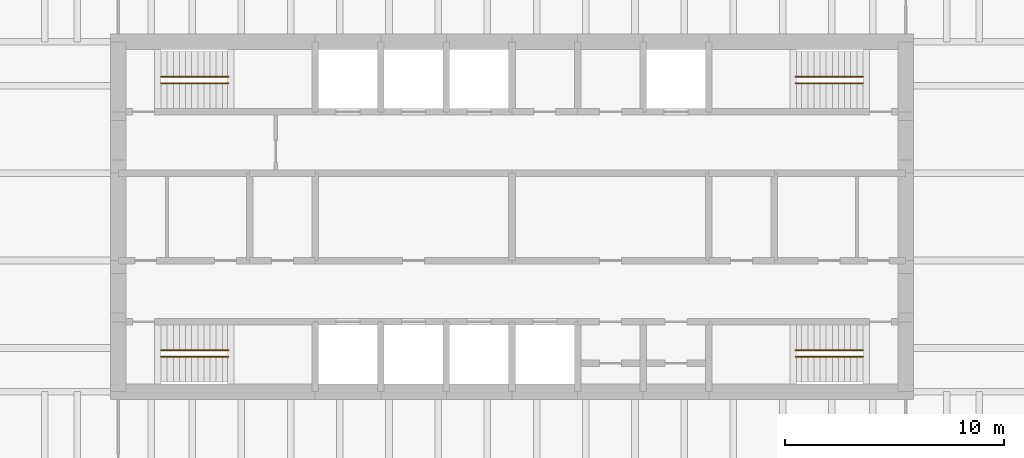
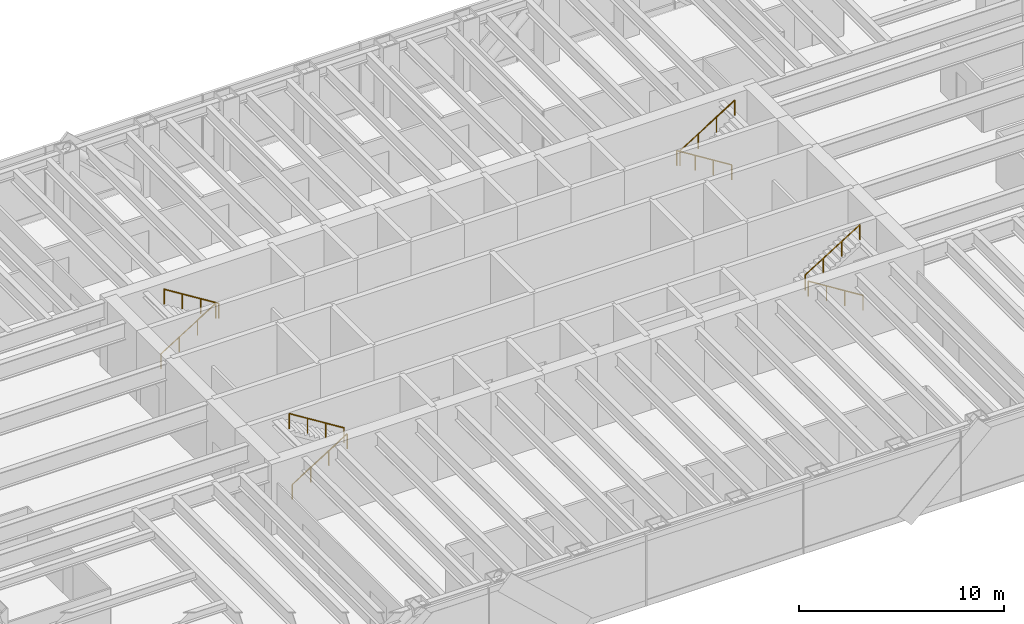
# One storey, part 15 of 15: 8 railings.
"""IFC4 building model written with IfcOpenShell, lengths in metres."""

from ifc_helpers import new_model, si_unit, direction, frame, origin, origin_2d, place, context, subcontext, project, spatial, circle, extrude, material, type_object, element, save


model = new_model("IFC4")

# Units and contexts
model_context = context("Model", 3, precision=1e-05, world=origin(), true_north=direction((0.0, 1.0)))
body_context = subcontext(model_context, "Body", "Model", "MODEL_VIEW")
ifc_project = project(units=[si_unit("LENGTHUNIT", "METRE"), si_unit("AREAUNIT", "SQUARE_METRE"), si_unit("VOLUMEUNIT", "CUBIC_METRE"), si_unit("PLANEANGLEUNIT", "RADIAN"), si_unit("MASSUNIT", "GRAM", prefix="KILO")], contexts=[model_context])

# Site, building, storey
site_placement = place(None, origin())
site = spatial("IfcSite", under=ifc_project, at=site_placement, CompositionType="ELEMENT")
building_placement = place(site_placement, origin())
building = spatial("IfcBuilding", under=site, at=building_placement, Name="Rheinbord Bourse Tower", CompositionType="ELEMENT")
storey_placement = place(building_placement, frame((0.0, 0.0, 313.10009765625)))
storey = spatial("IfcBuildingStorey", under=building, at=storey_placement, Name="L71", CompositionType="ELEMENT", Elevation=313.10009765625)

# Railings
ifc_material = material(Name="Steel handrail", Category="steel")
railing_type = type_object("IfcRailingType", Name="HANDRAIL 900", PredefinedType="HANDRAIL", material=ifc_material)
railing_1_placement = place(storey_placement, frame((19.949951171875, 17.60009765625, 0.1748046875)))
element("IfcRailing", 1, at=railing_1_placement, inside=storey, type_object=railing_type, Name="Handrail", PredefinedType="HANDRAIL", context=body_context, shape_type="SweptSolid", body=[
    extrude(circle(Radius=0.02392578125, at=origin_2d()), frame((0.0, 0.0, 0.8759765625), z_axis=(0.847998304005, 0.0, 0.529998940003), x_axis=(0.0, 1.0, 0.0)), (0.0, 0.0, 1.0), 3.632080078125),
    extrude(circle(Radius=0.02099609375, at=origin_2d()), origin(), (0.0, 0.0, 1.0), 0.851806640625),
    extrude(circle(Radius=0.02099609375, at=origin_2d()), frame((1.026611328125, 0.0, 0.6416015625)), (0.0, 0.0, 1.0), 0.851806640625),
    extrude(circle(Radius=0.02099609375, at=origin_2d()), frame((2.053466796875, 0.0, 1.283447265625)), (0.0, 0.0, 1.0), 0.851806640625),
    extrude(circle(Radius=0.02099609375, at=origin_2d()), frame((3.080078125, 0.0, 1.925048828125)), (0.0, 0.0, 1.0), 0.851806640625),
])
railing_2_placement = place(storey_placement, frame((23.030029296875, 17.89990234375, 2.27490234375)))
element("IfcRailing", 2, at=railing_2_placement, inside=storey, type_object=railing_type, Name="Handrail", PredefinedType="HANDRAIL", context=body_context, shape_type="SweptSolid", body=[
    extrude(circle(Radius=0.02392578125, at=origin_2d()), frame((0.0, 0.0, 0.8759765625), z_axis=(-0.847998304005, 0.0, 0.529998940003), x_axis=(0.0, -1.0, 0.0)), (0.0, 0.0, 1.0), 3.632080078125),
    extrude(circle(Radius=0.02099609375, at=origin_2d()), origin(), (0.0, 0.0, 1.0), 0.851806640625),
    extrude(circle(Radius=0.02099609375, at=origin_2d()), frame((-1.026611328125, 0.0, 0.6416015625)), (0.0, 0.0, 1.0), 0.851806640625),
    extrude(circle(Radius=0.02099609375, at=origin_2d()), frame((-2.053466796875, 0.0, 1.283447265625)), (0.0, 0.0, 1.0), 0.851806640625),
    extrude(circle(Radius=0.02099609375, at=origin_2d()), frame((-3.080078125, 0.0, 1.925048828125)), (0.0, 0.0, 1.0), 0.851806640625),
])
railing_3_placement = place(storey_placement, frame((19.949951171875, 30.39990234375, 0.1748046875)))
element("IfcRailing", 3, at=railing_3_placement, inside=storey, type_object=railing_type, Name="Handrail", PredefinedType="HANDRAIL", context=body_context, shape_type="SweptSolid", body=[
    extrude(circle(Radius=0.02392578125, at=origin_2d()), frame((0.0, 0.0, 0.8759765625), z_axis=(0.847998304005, 0.0, 0.529998940003), x_axis=(0.0, 1.0, 0.0)), (0.0, 0.0, 1.0), 3.632080078125),
    extrude(circle(Radius=0.02099609375, at=origin_2d()), origin(), (0.0, 0.0, 1.0), 0.851806640625),
    extrude(circle(Radius=0.02099609375, at=origin_2d()), frame((1.026611328125, 0.0, 0.6416015625)), (0.0, 0.0, 1.0), 0.851806640625),
    extrude(circle(Radius=0.02099609375, at=origin_2d()), frame((2.053466796875, 0.0, 1.283447265625)), (0.0, 0.0, 1.0), 0.851806640625),
    extrude(circle(Radius=0.02099609375, at=origin_2d()), frame((3.080078125, 0.0, 1.925048828125)), (0.0, 0.0, 1.0), 0.851806640625),
])
for number, where, name in (
    (4, (23.030029296875, 30.10009765625, 2.27490234375), "Handrail"),
    (5, (52.050048828125, 17.60009765625, 0.1748046875), "Handrail"),
):
    element("IfcRailing", number, at=place(storey_placement, frame(where)), inside=storey, type_object=railing_type, Name=name, PredefinedType="HANDRAIL", context=body_context, shape_type="SweptSolid", body=[
        extrude(circle(Radius=0.02392578125, at=origin_2d()), frame((0.0, 0.0, 0.8759765625), z_axis=(-0.847998304005, 0.0, 0.529998940003), x_axis=(0.0, -1.0, 0.0)), (0.0, 0.0, 1.0), 3.632080078125),
        extrude(circle(Radius=0.02099609375, at=origin_2d()), origin(), (0.0, 0.0, 1.0), 0.851806640625),
        extrude(circle(Radius=0.02099609375, at=origin_2d()), frame((-1.026611328125, 0.0, 0.6416015625)), (0.0, 0.0, 1.0), 0.851806640625),
        extrude(circle(Radius=0.02099609375, at=origin_2d()), frame((-2.053466796875, 0.0, 1.283447265625)), (0.0, 0.0, 1.0), 0.851806640625),
        extrude(circle(Radius=0.02099609375, at=origin_2d()), frame((-3.080078125, 0.0, 1.925048828125)), (0.0, 0.0, 1.0), 0.851806640625),
    ])
railing_4_placement = place(storey_placement, frame((48.969970703125, 17.89990234375, 2.27490234375)))
element("IfcRailing", 6, at=railing_4_placement, inside=storey, type_object=railing_type, Name="Handrail", PredefinedType="HANDRAIL", context=body_context, shape_type="SweptSolid", body=[
    extrude(circle(Radius=0.02392578125, at=origin_2d()), frame((0.0, 0.0, 0.8759765625), z_axis=(0.847998304005, 0.0, 0.529998940003), x_axis=(0.0, 1.0, 0.0)), (0.0, 0.0, 1.0), 3.632080078125),
    extrude(circle(Radius=0.02099609375, at=origin_2d()), origin(), (0.0, 0.0, 1.0), 0.851806640625),
    extrude(circle(Radius=0.02099609375, at=origin_2d()), frame((1.026611328125, 0.0, 0.6416015625)), (0.0, 0.0, 1.0), 0.851806640625),
    extrude(circle(Radius=0.02099609375, at=origin_2d()), frame((2.053466796875, 0.0, 1.283447265625)), (0.0, 0.0, 1.0), 0.851806640625),
    extrude(circle(Radius=0.02099609375, at=origin_2d()), frame((3.080078125, 0.0, 1.925048828125)), (0.0, 0.0, 1.0), 0.851806640625),
])
railing_5_placement = place(storey_placement, frame((52.050048828125, 30.39990234375, 0.1748046875)))
element("IfcRailing", 7, at=railing_5_placement, inside=storey, type_object=railing_type, Name="Handrail", PredefinedType="HANDRAIL", context=body_context, shape_type="SweptSolid", body=[
    extrude(circle(Radius=0.02392578125, at=origin_2d()), frame((0.0, 0.0, 0.8759765625), z_axis=(-0.847998304005, 0.0, 0.529998940003), x_axis=(0.0, -1.0, 0.0)), (0.0, 0.0, 1.0), 3.632080078125),
    extrude(circle(Radius=0.02099609375, at=origin_2d()), origin(), (0.0, 0.0, 1.0), 0.851806640625),
    extrude(circle(Radius=0.02099609375, at=origin_2d()), frame((-1.026611328125, 0.0, 0.6416015625)), (0.0, 0.0, 1.0), 0.851806640625),
    extrude(circle(Radius=0.02099609375, at=origin_2d()), frame((-2.053466796875, 0.0, 1.283447265625)), (0.0, 0.0, 1.0), 0.851806640625),
    extrude(circle(Radius=0.02099609375, at=origin_2d()), frame((-3.080078125, 0.0, 1.925048828125)), (0.0, 0.0, 1.0), 0.851806640625),
])
railing_6_placement = place(storey_placement, frame((48.969970703125, 30.10009765625, 2.27490234375)))
element("IfcRailing", 8, at=railing_6_placement, inside=storey, type_object=railing_type, Name="Handrail", PredefinedType="HANDRAIL", context=body_context, shape_type="SweptSolid", body=[
    extrude(circle(Radius=0.02392578125, at=origin_2d()), frame((0.0, 0.0, 0.8759765625), z_axis=(0.847998304005, 0.0, 0.529998940003), x_axis=(0.0, 1.0, 0.0)), (0.0, 0.0, 1.0), 3.632080078125),
    extrude(circle(Radius=0.02099609375, at=origin_2d()), origin(), (0.0, 0.0, 1.0), 0.851806640625),
    extrude(circle(Radius=0.02099609375, at=origin_2d()), frame((1.026611328125, 0.0, 0.6416015625)), (0.0, 0.0, 1.0), 0.851806640625),
    extrude(circle(Radius=0.02099609375, at=origin_2d()), frame((2.053466796875, 0.0, 1.283447265625)), (0.0, 0.0, 1.0), 0.851806640625),
    extrude(circle(Radius=0.02099609375, at=origin_2d()), frame((3.080078125, 0.0, 1.925048828125)), (0.0, 0.0, 1.0), 0.851806640625),
])

save(model, "model.ifc")
